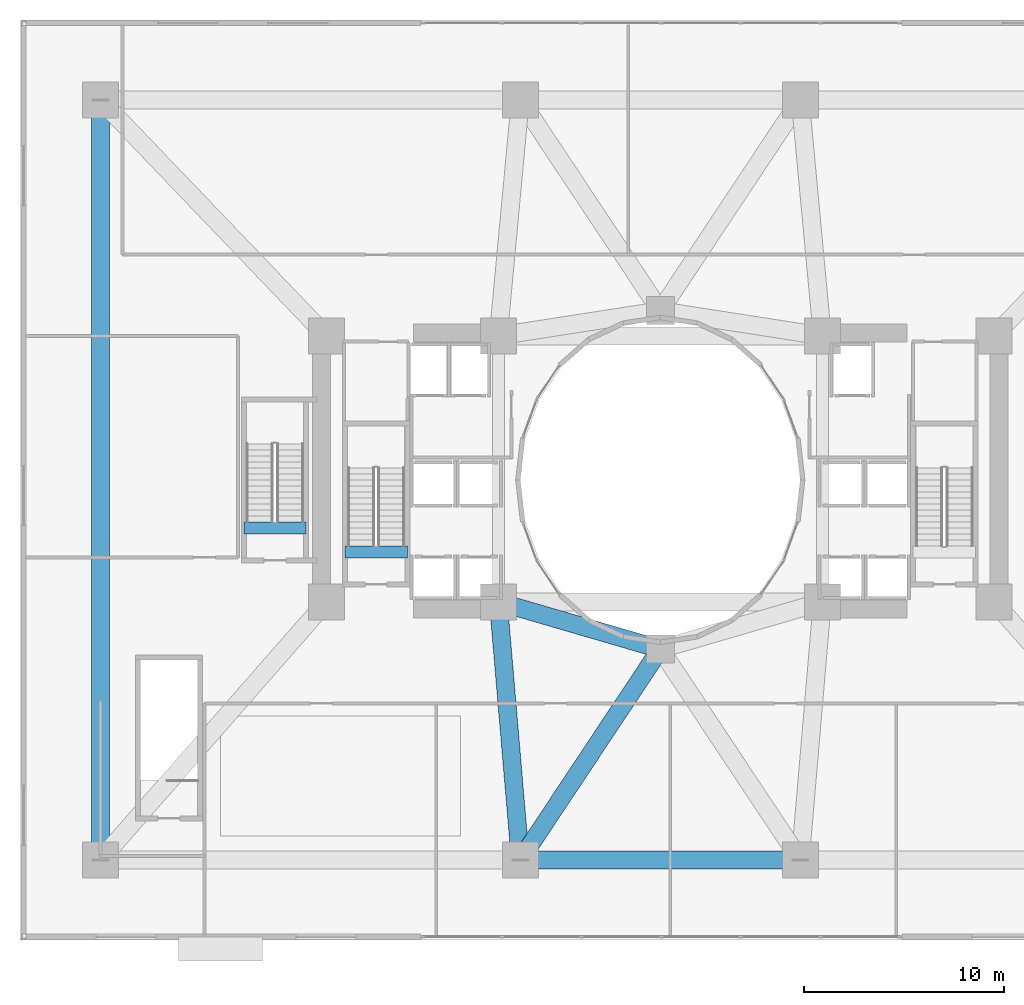
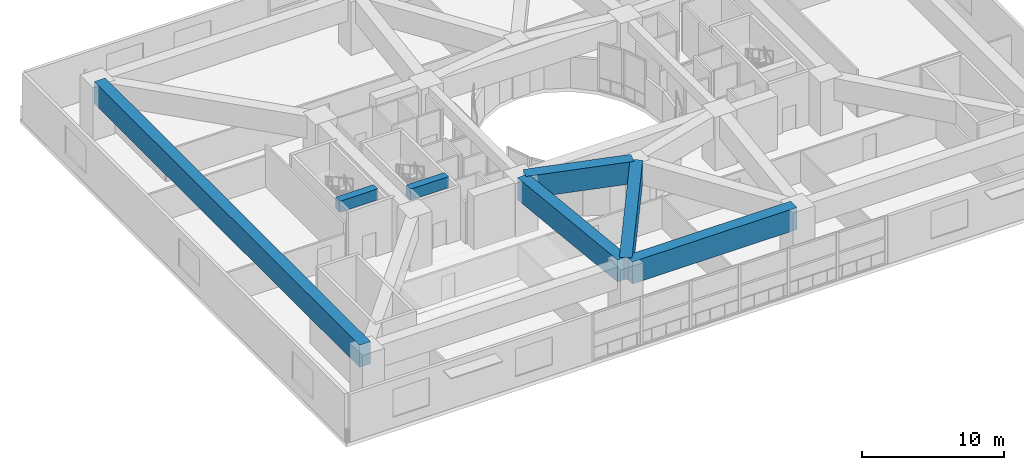
# One storey, part 3 of 27: 7 beams.
"""IFC4 building model written with IfcOpenShell, lengths in metres."""

from ifc_helpers import new_model, si_unit, direction, frame, origin, origin_2d, place, context, subcontext, project, spatial, rectangle, extrude, material, material_profile, profile_set, type_object, element, save


model = new_model("IFC4")

# Units and contexts
model_context = context("Model", 3, precision=1e-05, world=origin(), true_north=direction((0.0, 1.0)))
body_context = subcontext(model_context, "Body", "Model", "MODEL_VIEW")
ifc_project = project(units=[si_unit("LENGTHUNIT", "METRE"), si_unit("AREAUNIT", "SQUARE_METRE"), si_unit("VOLUMEUNIT", "CUBIC_METRE"), si_unit("PLANEANGLEUNIT", "RADIAN"), si_unit("MASSUNIT", "GRAM", prefix="KILO")], contexts=[model_context])

# Site, building, storey
site_placement = place(None, origin())
site = spatial("IfcSite", under=ifc_project, at=site_placement, CompositionType="ELEMENT")
building_placement = place(site_placement, origin())
building = spatial("IfcBuilding", under=site, at=building_placement, Name="Solvane Sanctuary Tower", CompositionType="ELEMENT")
storey_placement = place(building_placement, frame((0.0, 0.0, 23.0)))
storey = spatial("IfcBuildingStorey", under=building, at=storey_placement, Name="L06", CompositionType="ELEMENT", Elevation=23.0)

# Beams
ifc_material_1 = material(Name="Concrete C70/85", Category="concrete")
ifc_material_profile_1 = material_profile(ifc_material_1, rectangle(XDim=0.60009765625, YDim=0.949951171875, at=origin_2d()), Name="RC600X950")
ifc_profile_set_1 = profile_set([ifc_material_profile_1], Name="Concrete C70/85")
beam_type_1 = type_object("IfcBeamType", Name="Beam B-COUPLE RC600X950", PredefinedType="LINTEL", material=ifc_profile_set_1)
for number, where, z_axis, x_axis, name in (
    (1, (16.22998046875, 19.399169921875, 4.125), (1.0, 0.0, 0.0), (0.0, 1.0, 0.0), "L06 ST-1 Stair Floor Landing Trimmer"),
    (2, (11.169921875, 20.59912109375, 4.125), (1.0, 0.0, 0.0), (0.0, 1.0, 0.0), "L06 ST-3 Stair Floor Landing Trimmer"),
):
    element("IfcBeam", number, at=place(storey_placement, frame(where, z_axis=z_axis, x_axis=x_axis)), inside=storey, type_object=beam_type_1, Name=name, PredefinedType="LINTEL", context=body_context, shape_type="SweptSolid", body=[
        extrude(rectangle(XDim=0.60009765625, YDim=0.949951171875, at=origin_2d()), origin(), (0.0, 0.0, 1.0), 3.1201171875),
    ])
ifc_material_2 = material(Name="Concrete C60/75", Category="concrete")
ifc_material_profile_2 = material_profile(ifc_material_2, rectangle(XDim=0.89990234375, YDim=1.89990234375, at=origin_2d()), Name="RC900X1900")
ifc_profile_set_2 = profile_set([ifc_material_profile_2], Name="Concrete C60/75")
beam_type_2 = type_object("IfcBeamType", Name="Beam B-XFER-POD RC900X1900", PredefinedType="BEAM", material=ifc_profile_set_2)
beam_1_placement = place(storey_placement, frame((25.300048828125, 4.0, 3.64990234375), z_axis=(1.0, 0.0, 0.0), x_axis=(0.0, 1.0, 0.0)))
element("IfcBeam", 3, at=beam_1_placement, inside=storey, type_object=beam_type_2, Name="L06 Podium Transfer Girder XP02", PredefinedType="BEAM", context=body_context, shape_type="SweptSolid", body=[
    extrude(rectangle(XDim=0.89990234375, YDim=1.89990234375, at=origin_2d()), origin(), (0.0, 0.0, 1.0), 13.39990234375),
])
beam_2_placement = place(storey_placement, frame((4.0, 41.699951171875, 3.64990234375), z_axis=(0.0, -1.0, 0.0), x_axis=(1.0, 0.0, 0.0)))
element("IfcBeam", 4, at=beam_2_placement, inside=storey, type_object=beam_type_2, Name="L06 Podium Transfer Girder XP08", PredefinedType="BEAM", context=body_context, shape_type="SweptSolid", body=[
    extrude(rectangle(XDim=0.89990234375, YDim=1.89990234375, at=origin_2d()), origin(), (0.0, 0.0, 1.0), 37.39990234375),
])
beam_3_placement = place(storey_placement, frame((24.974609375, 4.298828125, 3.64990234375), z_axis=(-0.084966486016, 0.996383809711, 0.0), x_axis=(-0.996383809711, -0.084966486016, 0.0)))
element("IfcBeam", 5, at=beam_3_placement, inside=storey, type_object=beam_type_2, Name="L06 Podium Transfer Girder XP10", PredefinedType="BEAM", context=body_context, shape_type="SweptSolid", body=[
    extrude(rectangle(XDim=0.89990234375, YDim=1.89990234375, at=origin_2d()), origin(), (0.0, 0.0, 1.0), 12.346923828125),
])
beam_4_placement = place(storey_placement, frame((25.166015625, 4.25, 3.64990234375), z_axis=(0.553240888306, 0.833021319959, 0.0), x_axis=(-0.833021319959, 0.553240888306, 0.0)))
element("IfcBeam", 6, at=beam_4_placement, inside=storey, type_object=beam_type_2, Name="L06 Podium Transfer Girder XP11", PredefinedType="BEAM", context=body_context, shape_type="SweptSolid", body=[
    extrude(rectangle(XDim=0.89990234375, YDim=1.89990234375, at=origin_2d()), origin(), (0.0, 0.0, 1.0), 12.052490234375),
])
beam_5_placement = place(storey_placement, frame((24.18798828125, 16.816162109375, 3.64990234375), z_axis=(0.960071844474, -0.27975355842, 0.0), x_axis=(0.27975355842, 0.960071844474, 0.0)))
element("IfcBeam", 7, at=beam_5_placement, inside=storey, type_object=beam_type_2, Name="L06 Podium Transfer Girder XP21", PredefinedType="BEAM", context=body_context, shape_type="SweptSolid", body=[
    extrude(rectangle(XDim=0.89990234375, YDim=1.89990234375, at=origin_2d()), origin(), (0.0, 0.0, 1.0), 7.8369140625),
])

save(model, "model.ifc")
